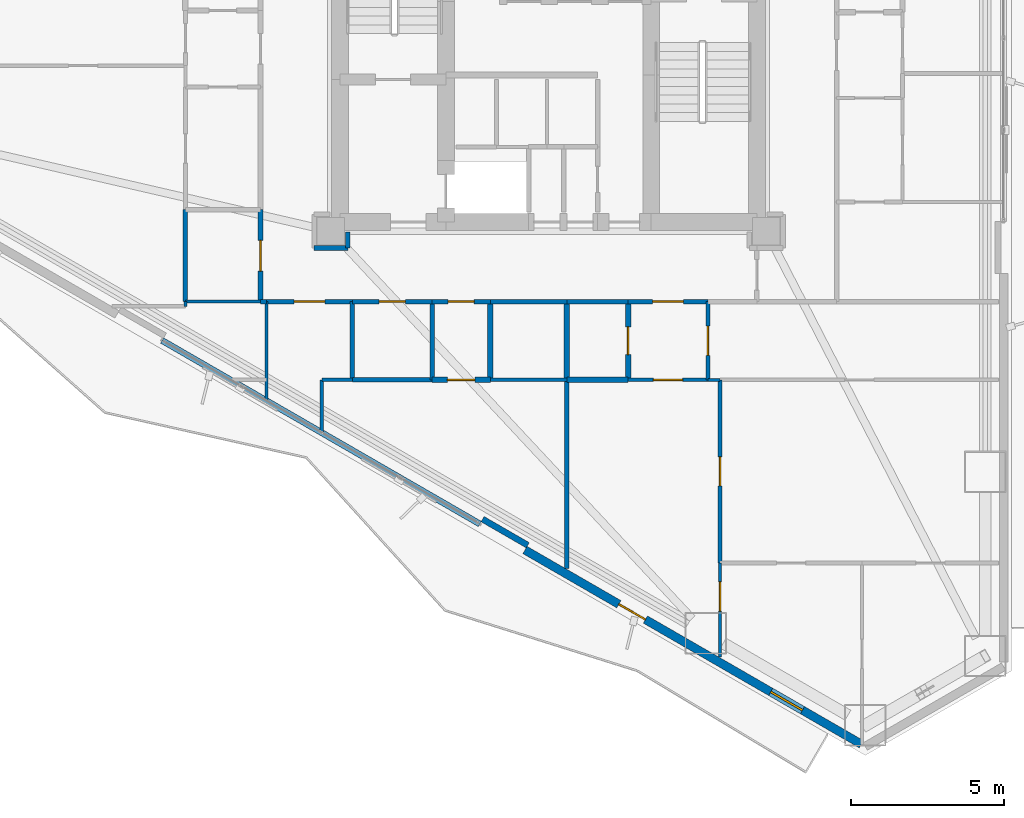
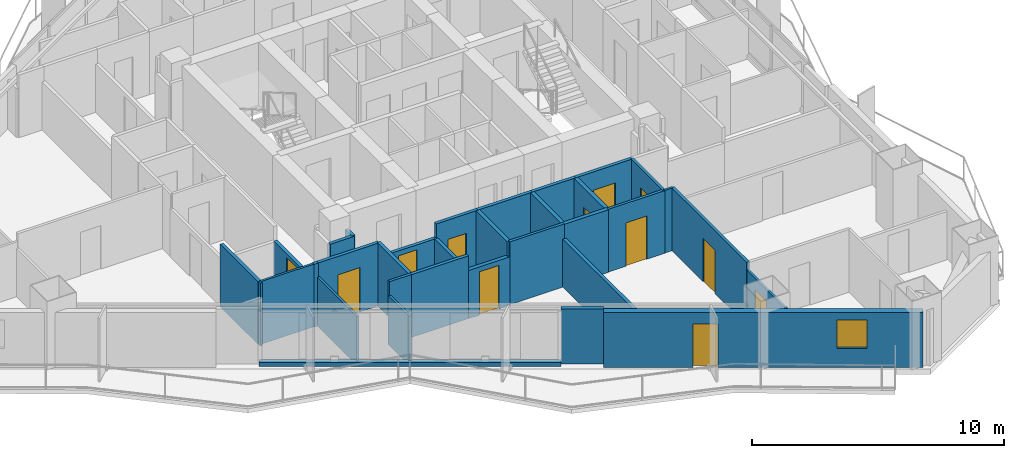
# One storey, part 12 of 19: 34 walls, 12 doors, 1 window, 13 openings.
"""IFC4 building model written with IfcOpenShell, lengths in metres."""

from ifc_helpers import new_model, si_unit, direction, frame, frame_2d, origin, place, context, subcontext, project, spatial, rectangle, extrude, material, layer, layer_set, type_object, element, fill, save


model = new_model("IFC4")

# Units and contexts
model_context = context("Model", 3, precision=1e-05, world=origin(), true_north=direction((0.0, 1.0)))
body_context = subcontext(model_context, "Body", "Model", "MODEL_VIEW")
ifc_project = project(units=[si_unit("LENGTHUNIT", "METRE"), si_unit("AREAUNIT", "SQUARE_METRE"), si_unit("VOLUMEUNIT", "CUBIC_METRE"), si_unit("PLANEANGLEUNIT", "RADIAN"), si_unit("MASSUNIT", "GRAM", prefix="KILO")], contexts=[model_context])

# Site, building, storey
site_placement = place(None, origin())
site = spatial("IfcSite", under=ifc_project, at=site_placement, CompositionType="ELEMENT")
building_placement = place(site_placement, origin())
building = spatial("IfcBuilding", under=site, at=building_placement, Name="Mersakhor Tower and Convention Hall", CompositionType="ELEMENT")
storey_placement = place(building_placement, frame((0.0, 0.0, 29.10009765625)))
storey = spatial("IfcBuildingStorey", under=building, at=storey_placement, Name="L07", CompositionType="ELEMENT", Elevation=29.10009765625)

# Wall, openings, door, window
ifc_material_1 = material(Name="Precast concrete C45/55", Category="concrete")
ifc_layer_1 = layer(ifc_material_1, 0.27490234375)
ifc_layer_set_1 = layer_set([ifc_layer_1], Name="Precast concrete C45/55")
wall_type_1 = type_object("IfcWallType", Name="WL-EXT-275", PredefinedType="SOLIDWALL", material=ifc_layer_set_1)
wall_1_placement = place(storey_placement, frame((39.20703125, 3.709716796875, 0.0), z_axis=(0.0, 0.0, 1.0), x_axis=(-0.86603192154, 0.499988710747, 0.0)))
wall_1 = element("IfcWall", 1, at=wall_1_placement, inside=storey, type_object=wall_type_1, Name="L07 Exterior Facade Wall F3-B1", PredefinedType="SOLIDWALL", context=body_context, shape_type="SweptSolid", body=[
    extrude(rectangle(XDim=12.673095703125, YDim=0.27490234375, at=frame_2d((6.33642578125, 0.0))), origin(), (0.0, 0.0, 1.0), 2.659912109375),
])
opening_1_placement = place(wall_1_placement, frame((8.135986328125, 0.0, 0.0)))
opening_1 = element("IfcOpeningElement", 2, at=opening_1_placement, cuts=wall_1, Name="Opening BD-01", PredefinedType="OPENING", context=body_context, shape_type="SweptSolid", body=[
    extrude(rectangle(XDim=1.0, YDim=2.10009765625, at=frame_2d((0.5, 1.050048828125))), frame((0.0, 0.1474609375, 0.0), z_axis=(0.0, -1.0, 0.0), x_axis=(1.0, 0.0, 0.0)), (0.0, 0.0, 1.0), 0.294921875),
])
opening_2_placement = place(wall_1_placement, frame((2.216064453125, 0.0, 0.89990234375)))
opening_2 = element("IfcOpeningElement", 3, at=opening_2_placement, cuts=wall_1, Name="Opening W-01", PredefinedType="OPENING", context=body_context, shape_type="SweptSolid", body=[
    extrude(rectangle(XDim=1.199951171875, YDim=1.39990234375, at=frame_2d((0.60009765625, 0.699951171875))), frame((0.0, 0.1474609375, 0.0), z_axis=(0.0, -1.0, 0.0), x_axis=(1.0, 0.0, 0.0)), (0.0, 0.0, 1.0), 0.294921875),
])
ifc_material_2 = material(Name="Thermally broken dark aluminium and safety glass", Category="aluminium")
door_type_1 = type_object("IfcDoorType", Name="DR-BAL-100x210", OperationType="NOTDEFINED", PredefinedType="DOOR", material=ifc_material_2)
door_1_placement = place(opening_1_placement, origin())
door_1 = element("IfcDoor", 4, at=door_1_placement, inside=storey, type_object=door_type_1, Name="L07 Balcony Terrace Door F3-B1", OperationType="SINGLE_SWING_LEFT", OverallHeight=2.10009765625, OverallWidth=1.0, PredefinedType="DOOR", context=body_context, shape_type="SweptSolid", body=[
    extrude(rectangle(XDim=1.0, YDim=2.10009765625, at=frame_2d((0.5, 1.050048828125))), frame((0.0, 0.02490234375, 0.0), z_axis=(0.0, -1.0, 0.0), x_axis=(1.0, 0.0, 0.0)), (0.0, 0.0, 1.0), 0.050048828125),
])
fill(opening_1, door_1)
ifc_material_3 = material(Name="Dark solar low-E glazed aluminium window", Category="aluminium")
window_type = type_object("IfcWindowType", Name="WN-RES-120x150", PartitioningType="SINGLE_PANEL", PredefinedType="WINDOW", material=ifc_material_3)
window_placement = place(opening_2_placement, origin())
window = element("IfcWindow", 5, at=window_placement, inside=storey, type_object=window_type, Name="L07 Bedroom Facade Window F3-B1-1", OverallHeight=1.39990234375, OverallWidth=1.199951171875, PartitioningType="SINGLE_PANEL", PredefinedType="WINDOW", context=body_context, shape_type="SweptSolid", body=[
    extrude(rectangle(XDim=1.199951171875, YDim=1.39990234375, at=frame_2d((0.60009765625, 0.699951171875))), frame((0.0, 0.030029296875, 0.0), z_axis=(0.0, -1.0, 0.0), x_axis=(1.0, 0.0, 0.0)), (0.0, 0.0, 1.0), 0.06005859375),
])
fill(opening_2, window)

# Walls
ifc_material_4 = material(Name="Precast concrete C40/50", Category="concrete")
ifc_layer_2 = layer(ifc_material_4, 0.199951171875)
ifc_layer_set_2 = layer_set([ifc_layer_2], Name="Precast concrete C40/50")
wall_type_2 = type_object("IfcWallType", Name="WL-PAR-200", PredefinedType="PARAPET", material=ifc_layer_set_2)
wall_2_placement = place(storey_placement, frame((26.759521484375, 10.896240234375, 0.0), z_axis=(0.0, 0.0, 1.0), x_axis=(-0.866027351828, 0.499996625875, 0.0)))
element("IfcWall", 6, at=wall_2_placement, inside=storey, type_object=wall_type_2, Name="L07 Curtain Wall Upstand Sill F3-B2", PredefinedType="PARAPET", context=body_context, shape_type="SweptSolid", body=[
    extrude(rectangle(XDim=11.97314453125, YDim=0.199951171875, at=frame_2d((5.986572265625, 0.0))), origin(), (0.0, 0.0, 1.0), 0.199951171875),
])
wall_3_placement = place(storey_placement, frame((28.32177734375, 10.2021484375, 0.0), z_axis=(0.0, 0.0, 1.0), x_axis=(-0.86605165483, 0.499954529098, 0.0)))
element("IfcWall", 7, at=wall_3_placement, inside=storey, type_object=wall_type_2, Name="L07 Column Pier Cladding Wall F3-C1", PredefinedType="PARAPET", context=body_context, shape_type="SweptSolid", body=[
    extrude(rectangle(XDim=1.699951171875, YDim=0.199951171875, at=frame_2d((0.85009765625, 0.0))), origin(), (0.0, 0.0, 1.0), 2.659912109375),
])

# Wall, opening, door
ifc_material_5 = material(Name="Moisture-resistant acoustic drywall studwork", Category="other")
ifc_layer_3 = layer(ifc_material_5, 0.175048828125)
ifc_layer_set_3 = layer_set([ifc_layer_3], Name="Moisture-resistant acoustic drywall studwork")
wall_type_3 = type_object("IfcWallType", Name="WL-PLM-175", PredefinedType="PLUMBINGWALL", material=ifc_layer_set_3)
wall_4_placement = place(storey_placement, frame((31.60009765625, 15.60009765625, 0.0), z_axis=(0.0, 0.0, 1.0), x_axis=(0.0, 1.0, 0.0)))
wall_4 = element("IfcWall", 8, at=wall_4_placement, inside=storey, type_object=wall_type_3, Name="L07 Interior Partition Wall P-072", PredefinedType="PLUMBINGWALL", context=body_context, shape_type="SweptSolid", body=[
    extrude(rectangle(XDim=2.5498046875, YDim=0.175048828125, at=frame_2d((1.27490234375, 0.0))), origin(), (0.0, 0.0, 1.0), 3.039794921875),
])
opening_3_placement = place(wall_4_placement, frame((0.824951171875, 0.0, 0.0)))
opening_3 = element("IfcOpeningElement", 9, at=opening_3_placement, cuts=wall_4, Name="Opening WD-01", PredefinedType="OPENING", context=body_context, shape_type="SweptSolid", body=[
    extrude(rectangle(XDim=0.89990234375, YDim=2.10009765625, at=frame_2d((0.449951171875, 1.050048828125))), frame((0.0, 0.097412109375, 0.0), z_axis=(0.0, -1.0, 0.0), x_axis=(1.0, 0.0, 0.0)), (0.0, 0.0, 1.0), 0.195068359375),
])
ifc_material_6 = material(Name="Solid-core hardwood leaf in painted steel frame", Category="steel")
door_type_2 = type_object("IfcDoorType", Name="DR-INT-WET-090x210", OperationType="NOTDEFINED", PredefinedType="DOOR", material=ifc_material_6)
door_2_placement = place(opening_3_placement, origin())
door_2 = element("IfcDoor", 10, at=door_2_placement, inside=storey, type_object=door_type_2, Name="L07 L07 Flat S3 Apartment Hall to L07 Flat S3 Bathroom Door", OperationType="SINGLE_SWING_LEFT", OverallHeight=2.10009765625, OverallWidth=0.89990234375, PredefinedType="DOOR", context=body_context, shape_type="SweptSolid", body=[
    extrude(rectangle(XDim=0.89990234375, YDim=2.10009765625, at=frame_2d((0.449951171875, 1.050048828125))), frame((0.0, 0.02490234375, 0.0), z_axis=(0.0, -1.0, 0.0), x_axis=(1.0, 0.0, 0.0)), (0.0, 0.0, 1.0), 0.050048828125),
])
fill(opening_3, door_2)

wall_5_placement = place(storey_placement, frame((27.10009765625, 15.60009765625, 0.0), z_axis=(0.0, 0.0, 1.0), x_axis=(-1.0, 0.0, 0.0)))
wall_5 = element("IfcWall", 11, at=wall_5_placement, inside=storey, type_object=wall_type_3, Name="L07 Interior Partition Wall P-089", PredefinedType="PLUMBINGWALL", context=body_context, shape_type="SweptSolid", body=[
    extrude(rectangle(XDim=1.900146484375, YDim=0.175048828125, at=frame_2d((0.9501953125, 0.0))), origin(), (0.0, 0.0, 1.0), 2.33740234375),
])
opening_4_placement = place(wall_5_placement, frame((0.5, 0.0, 0.0)))
opening_4 = element("IfcOpeningElement", 12, at=opening_4_placement, cuts=wall_5, Name="Opening WD-01", PredefinedType="OPENING", context=body_context, shape_type="SweptSolid", body=[
    extrude(rectangle(XDim=0.89990234375, YDim=2.10009765625, at=frame_2d((0.449951171875, 1.050048828125))), frame((0.0, 0.097412109375, 0.0), z_axis=(0.0, -1.0, 0.0), x_axis=(1.0, 0.0, 0.0)), (0.0, 0.0, 1.0), 0.195068359375),
])
door_3_placement = place(opening_4_placement, origin())
door_3 = element("IfcDoor", 13, at=door_3_placement, inside=storey, type_object=door_type_2, Name="L07 L07 Floor Shared Restroom WC 2-2 to L07 Floor Residents Study Room 2-4 Door", OperationType="SINGLE_SWING_RIGHT", OverallHeight=2.10009765625, OverallWidth=0.89990234375, PredefinedType="DOOR", context=body_context, shape_type="SweptSolid", body=[
    extrude(rectangle(XDim=0.89990234375, YDim=2.10009765625, at=frame_2d((0.449951171875, 1.050048828125))), frame((0.0, 0.02490234375, 0.0), z_axis=(0.0, -1.0, 0.0), x_axis=(1.0, 0.0, 0.0)), (0.0, 0.0, 1.0), 0.050048828125),
])
fill(opening_4, door_3)

# Walls
wall_6_placement = place(storey_placement, frame((27.10009765625, 18.14990234375, 0.0), z_axis=(0.0, 0.0, 1.0), x_axis=(0.0, -1.0, 0.0)))
element("IfcWall", 14, at=wall_6_placement, inside=storey, type_object=wall_type_3, Name="L07 Interior Partition Wall P-091", PredefinedType="PLUMBINGWALL", context=body_context, shape_type="SweptSolid", body=[
    extrude(rectangle(XDim=2.5498046875, YDim=0.175048828125, at=frame_2d((1.27490234375, 0.0))), origin(), (0.0, 0.0, 1.0), 3.039794921875),
])
wall_7_placement = place(storey_placement, frame((31.60009765625, 15.60009765625, 0.0), z_axis=(0.0, 0.0, 1.0), x_axis=(-1.0, 0.0, 0.0)))
element("IfcWall", 15, at=wall_7_placement, inside=storey, type_object=wall_type_3, Name="L07 Interior Partition Wall P-092", PredefinedType="PLUMBINGWALL", context=body_context, shape_type="SweptSolid", body=[
    extrude(rectangle(XDim=2.0, YDim=0.175048828125, at=frame_2d((1.0, 0.0))), origin(), (0.0, 0.0, 1.0), 3.039794921875),
])
wall_8_placement = place(storey_placement, frame((29.60009765625, 15.60009765625, 0.0), z_axis=(0.0, 0.0, 1.0), x_axis=(0.0, 1.0, 0.0)))
element("IfcWall", 16, at=wall_8_placement, inside=storey, type_object=wall_type_3, Name="L07 Interior Partition Wall P-093", PredefinedType="PLUMBINGWALL", context=body_context, shape_type="SweptSolid", body=[
    extrude(rectangle(XDim=2.5498046875, YDim=0.175048828125, at=frame_2d((1.27490234375, 0.0))), origin(), (0.0, 0.0, 1.0), 3.039794921875),
])
ifc_material_7 = material(Name="Lightweight gypsum partition", Category="other")
ifc_layer_4 = layer(ifc_material_7, 0.10009765625)
ifc_layer_set_4 = layer_set([ifc_layer_4], Name="Lightweight gypsum partition")
wall_type_4 = type_object("IfcWallType", Name="WL-PRT-100", PredefinedType="PARTITIONING", material=ifc_layer_set_4)
wall_9_placement = place(storey_placement, frame((34.60009765625, 15.60009765625, 0.0), z_axis=(0.0, 0.0, 1.0), x_axis=(-1.0, 0.0, 0.0)))
element("IfcWall", 17, at=wall_9_placement, inside=storey, type_object=wall_type_4, Name="L07 Interior Partition Wall P-096", PredefinedType="PARTITIONING", context=body_context, shape_type="SweptSolid", body=[
    extrude(rectangle(XDim=0.400146484375, YDim=0.10009765625, at=frame_2d((0.2001953125, 0.0))), origin(), (0.0, 0.0, 1.0), 3.039794921875),
])
wall_10_placement = place(storey_placement, frame((19.60009765625, 18.14990234375, 0.0), z_axis=(0.0, 0.0, 1.0), x_axis=(-1.0, 0.0, 0.0)))
element("IfcWall", 18, at=wall_10_placement, inside=storey, type_object=wall_type_4, Name="L07 Interior Partition Wall P-114", PredefinedType="PARTITIONING", context=body_context, shape_type="SweptSolid", body=[
    extrude(rectangle(XDim=2.4501953125, YDim=0.10009765625, at=frame_2d((1.22509765625, 0.0))), origin(), (0.0, 0.0, 1.0), 3.039794921875),
])
wall_11_placement = place(storey_placement, frame((21.60009765625, 15.60009765625, 0.0), z_axis=(0.0, 0.0, 1.0), x_axis=(0.0, -1.0, 0.0)))
element("IfcWall", 19, at=wall_11_placement, inside=storey, type_object=wall_type_4, Name="L07 Interior Partition Wall P-128", PredefinedType="PARTITIONING", context=body_context, shape_type="SweptSolid", body=[
    extrude(rectangle(XDim=1.68359375, YDim=0.10009765625, at=frame_2d((0.841796875, 0.0))), origin(), (0.0, 0.0, 1.0), 2.364990234375),
])
wall_12_placement = place(storey_placement, frame((19.800048828125, 14.955810546875, 0.0), z_axis=(0.0, 0.0, 1.0), x_axis=(0.0, 1.0, 0.0)))
element("IfcWall", 20, at=wall_12_placement, inside=storey, type_object=wall_type_4, Name="L07 Interior Partition Wall P-130", PredefinedType="PARTITIONING", context=body_context, shape_type="SweptSolid", body=[
    extrude(rectangle(XDim=3.194091796875, YDim=0.10009765625, at=frame_2d((1.59716796875, 0.0))), origin(), (0.0, 0.0, 1.0), 2.364990234375),
])

# Wall, opening, door
wall_13_placement = place(storey_placement, frame((34.60009765625, 9.6201171875, 0.0), z_axis=(0.0, 0.0, 1.0), x_axis=(0.0, -1.0, 0.0)))
wall_13 = element("IfcWall", 21, at=wall_13_placement, inside=storey, type_object=wall_type_4, Name="L07 Interior Partition Wall P-134", PredefinedType="PARTITIONING", context=body_context, shape_type="SweptSolid", body=[
    extrude(rectangle(XDim=3.064208984375, YDim=0.10009765625, at=frame_2d((1.5322265625, 0.0))), origin(), (0.0, 0.0, 1.0), 2.650390625),
])
opening_5_placement = place(wall_13_placement, frame((0.6171875, 0.0, 0.0)))
opening_5 = element("IfcOpeningElement", 22, at=opening_5_placement, cuts=wall_13, Name="Opening RD-01", PredefinedType="OPENING", context=body_context, shape_type="SweptSolid", body=[
    extrude(rectangle(XDim=0.949951171875, YDim=2.10009765625, at=frame_2d((0.47509765625, 1.050048828125))), frame((0.0, 0.06005859375, 0.0), z_axis=(0.0, -1.0, 0.0), x_axis=(1.0, 0.0, 0.0)), (0.0, 0.0, 1.0), 0.1201171875),
])
ifc_material_8 = material(Name="Solid-core hardwood leaf in painted steel frame", Category="steel")
door_type_3 = type_object("IfcDoorType", Name="DR-INT-RM-095x210", OperationType="NOTDEFINED", PredefinedType="DOOR", material=ifc_material_8)
door_4_placement = place(opening_5_placement, origin())
door_4 = element("IfcDoor", 23, at=door_4_placement, inside=storey, type_object=door_type_3, Name="L07 L07 Flat S3 Living and Dining Room to L07 Flat S3 Bedroom 1 Door", OperationType="SINGLE_SWING_LEFT", OverallHeight=2.10009765625, OverallWidth=0.949951171875, PredefinedType="DOOR", context=body_context, shape_type="SweptSolid", body=[
    extrude(rectangle(XDim=0.949951171875, YDim=2.10009765625, at=frame_2d((0.47509765625, 1.050048828125))), frame((0.0, 0.02490234375, 0.0), z_axis=(0.0, -1.0, 0.0), x_axis=(1.0, 0.0, 0.0)), (0.0, 0.0, 1.0), 0.050048828125),
])
fill(opening_5, door_4)

# Wall
wall_14_placement = place(storey_placement, frame((17.14990234375, 18.14990234375, 0.0), z_axis=(0.0, 0.0, 1.0), x_axis=(0.0, -1.0, 0.0)))
element("IfcWall", 24, at=wall_14_placement, inside=storey, type_object=wall_type_4, Name="L07 Interior Partition Wall P-144", PredefinedType="PARTITIONING", context=body_context, shape_type="SweptSolid", body=[
    extrude(rectangle(XDim=0.14990234375, YDim=0.10009765625, at=frame_2d((0.074951171875, 0.0))), origin(), (0.0, 0.0, 1.0), 3.039794921875),
])

# Wall, opening, door
ifc_material_9 = material(Name="Gypsum board acoustic partition", Category="other")
ifc_layer_5 = layer(ifc_material_9, 0.125)
ifc_layer_set_5 = layer_set([ifc_layer_5], Name="Gypsum board acoustic partition")
wall_type_5 = type_object("IfcWallType", Name="WL-PRT-125", PredefinedType="PARTITIONING", material=ifc_layer_set_5)
wall_15_placement = place(storey_placement, frame((34.199951171875, 15.60009765625, 0.0), z_axis=(0.0, 0.0, 1.0), x_axis=(-1.0, 0.0, 0.0)))
wall_15 = element("IfcWall", 25, at=wall_15_placement, inside=storey, type_object=wall_type_5, Name="L07 Interior Partition Wall P-071", PredefinedType="PARTITIONING", context=body_context, shape_type="SweptSolid", body=[
    extrude(rectangle(XDim=2.599853515625, YDim=0.125, at=frame_2d((1.2998046875, 0.0))), origin(), (0.0, 0.0, 1.0), 3.039794921875),
])
opening_6_placement = place(wall_15_placement, frame((0.824951171875, 0.0, 0.0)))
opening_6 = element("IfcOpeningElement", 26, at=opening_6_placement, cuts=wall_15, Name="Opening RD-01", PredefinedType="OPENING", context=body_context, shape_type="SweptSolid", body=[
    extrude(rectangle(XDim=0.949951171875, YDim=2.10009765625, at=frame_2d((0.47509765625, 1.050048828125))), frame((0.0, 0.072509765625, 0.0), z_axis=(0.0, -1.0, 0.0), x_axis=(1.0, 0.0, 0.0)), (0.0, 0.0, 1.0), 0.14501953125),
])
door_5_placement = place(opening_6_placement, origin())
door_5 = element("IfcDoor", 27, at=door_5_placement, inside=storey, type_object=door_type_3, Name="L07 L07 Flat S3 Apartment Hall to L07 Flat S3 Living and Dining Room Door", OperationType="SINGLE_SWING_LEFT", OverallHeight=2.10009765625, OverallWidth=0.949951171875, PredefinedType="DOOR", context=body_context, shape_type="SweptSolid", body=[
    extrude(rectangle(XDim=0.949951171875, YDim=2.10009765625, at=frame_2d((0.47509765625, 1.050048828125))), frame((0.0, 0.02490234375, 0.0), z_axis=(0.0, -1.0, 0.0), x_axis=(1.0, 0.0, 0.0)), (0.0, 0.0, 1.0), 0.050048828125),
])
fill(opening_6, door_5)

wall_16_placement = place(storey_placement, frame((34.199951171875, 18.14990234375, 0.0), z_axis=(0.0, 0.0, 1.0), x_axis=(0.0, -1.0, 0.0)))
wall_16 = element("IfcWall", 28, at=wall_16_placement, inside=storey, type_object=wall_type_5, Name="L07 Interior Partition Wall P-073", PredefinedType="PARTITIONING", context=body_context, shape_type="SweptSolid", body=[
    extrude(rectangle(XDim=2.5498046875, YDim=0.125, at=frame_2d((1.27490234375, 0.0))), origin(), (0.0, 0.0, 1.0), 3.039794921875),
])
opening_7_placement = place(wall_16_placement, frame((0.800048828125, 0.0, 0.0)))
opening_7 = element("IfcOpeningElement", 29, at=opening_7_placement, cuts=wall_16, Name="Opening RD-01", PredefinedType="OPENING", context=body_context, shape_type="SweptSolid", body=[
    extrude(rectangle(XDim=0.949951171875, YDim=2.10009765625, at=frame_2d((0.47509765625, 1.050048828125))), frame((0.0, 0.072509765625, 0.0), z_axis=(0.0, -1.0, 0.0), x_axis=(1.0, 0.0, 0.0)), (0.0, 0.0, 1.0), 0.14501953125),
])
door_6_placement = place(opening_7_placement, origin())
door_6 = element("IfcDoor", 30, at=door_6_placement, inside=storey, type_object=door_type_3, Name="L07 L07 Flat S3 Apartment Hall to L07 Flat S3 Kitchen Door", OperationType="SINGLE_SWING_RIGHT", OverallHeight=2.10009765625, OverallWidth=0.949951171875, PredefinedType="DOOR", context=body_context, shape_type="SweptSolid", body=[
    extrude(rectangle(XDim=0.949951171875, YDim=2.10009765625, at=frame_2d((0.47509765625, 1.050048828125))), frame((0.0, 0.02490234375, 0.0), z_axis=(0.0, -1.0, 0.0), x_axis=(1.0, 0.0, 0.0)), (0.0, 0.0, 1.0), 0.050048828125),
])
fill(opening_7, door_6)

# Walls
wall_17_placement = place(storey_placement, frame((22.60009765625, 15.60009765625, 0.0), z_axis=(0.0, 0.0, 1.0), x_axis=(-1.0, 0.0, 0.0)))
element("IfcWall", 31, at=wall_17_placement, inside=storey, type_object=wall_type_5, Name="L07 Interior Partition Wall P-127", PredefinedType="PARTITIONING", context=body_context, shape_type="SweptSolid", body=[
    extrude(rectangle(XDim=1.0, YDim=0.125, at=frame_2d((0.5, 0.0))), origin(), (0.0, 0.0, 1.0), 3.039794921875),
])
wall_18_placement = place(storey_placement, frame((27.10009765625, 15.60009765625, 0.0), z_axis=(0.0, 0.0, 1.0), x_axis=(1.0, 0.0, 0.0)))
element("IfcWall", 32, at=wall_18_placement, inside=storey, type_object=wall_type_5, Name="L07 Interior Partition Wall P-131", PredefinedType="PARTITIONING", context=body_context, shape_type="SweptSolid", body=[
    extrude(rectangle(XDim=2.5, YDim=0.125, at=frame_2d((1.25, 0.0))), origin(), (0.0, 0.0, 1.0), 3.039794921875),
])

# Wall, opening, door
wall_19_placement = place(storey_placement, frame((34.60009765625, 15.60009765625, 0.0), z_axis=(0.0, 0.0, 1.0), x_axis=(0.0, -1.0, 0.0)))
wall_19 = element("IfcWall", 33, at=wall_19_placement, inside=storey, type_object=wall_type_5, Name="L07 Interior Partition Wall P-133", PredefinedType="PARTITIONING", context=body_context, shape_type="SweptSolid", body=[
    extrude(rectangle(XDim=5.97998046875, YDim=0.125, at=frame_2d((2.989990234375, 0.0))), origin(), (0.0, 0.0, 1.0), 3.039794921875),
])
opening_8_placement = place(wall_19_placement, frame((2.514892578125, 0.0, 0.0)))
opening_8 = element("IfcOpeningElement", 34, at=opening_8_placement, cuts=wall_19, Name="Opening RD-01", PredefinedType="OPENING", context=body_context, shape_type="SweptSolid", body=[
    extrude(rectangle(XDim=0.949951171875, YDim=2.10009765625, at=frame_2d((0.47509765625, 1.050048828125))), frame((0.0, 0.072509765625, 0.0), z_axis=(0.0, -1.0, 0.0), x_axis=(1.0, 0.0, 0.0)), (0.0, 0.0, 1.0), 0.14501953125),
])
door_7_placement = place(opening_8_placement, origin())
door_7 = element("IfcDoor", 35, at=door_7_placement, inside=storey, type_object=door_type_3, Name="L07 L07 Flat S3 Living and Dining Room to L07 Flat S3 Dining Room Door", OperationType="SINGLE_SWING_RIGHT", OverallHeight=2.10009765625, OverallWidth=0.949951171875, PredefinedType="DOOR", context=body_context, shape_type="SweptSolid", body=[
    extrude(rectangle(XDim=0.949951171875, YDim=2.10009765625, at=frame_2d((0.47509765625, 1.050048828125))), frame((0.0, 0.02490234375, 0.0), z_axis=(0.0, -1.0, 0.0), x_axis=(1.0, 0.0, 0.0)), (0.0, 0.0, 1.0), 0.050048828125),
])
fill(opening_8, door_7)

# Walls
ifc_material_10 = material(Name="Fire-rated gypsum board stud partition", Category="other")
ifc_layer_6 = layer(ifc_material_10, 0.14990234375)
ifc_layer_set_6 = layer_set([ifc_layer_6], Name="Fire-rated gypsum board stud partition")
wall_type_6 = type_object("IfcWallType", Name="WL-PRT-150", PredefinedType="PARTITIONING", material=ifc_layer_set_6)
wall_20_placement = place(storey_placement, frame((21.35009765625, 19.89990234375, 0.0), z_axis=(0.0, 0.0, 1.0), x_axis=(1.0, 0.0, 0.0)))
element("IfcWall", 36, at=wall_20_placement, inside=storey, type_object=wall_type_6, Name="L07 Interior Partition Wall P-021", PredefinedType="PARTITIONING", context=body_context, shape_type="SweptSolid", body=[
    extrude(rectangle(XDim=1.099853515625, YDim=0.14990234375, at=frame_2d((0.5498046875, 0.0))), origin(), (0.0, 0.0, 1.0), 2.33740234375),
])
wall_21_placement = place(storey_placement, frame((22.449951171875, 19.89990234375, 0.0), z_axis=(0.0, 0.0, 1.0), x_axis=(0.0, 1.0, 0.0)))
element("IfcWall", 37, at=wall_21_placement, inside=storey, type_object=wall_type_6, Name="L07 Interior Partition Wall P-022", PredefinedType="PARTITIONING", context=body_context, shape_type="SweptSolid", body=[
    extrude(rectangle(XDim=0.525146484375, YDim=0.14990234375, at=frame_2d((0.2626953125, 0.0))), origin(), (0.0, 0.0, 1.0), 2.33740234375),
])

# Wall, opening, door
wall_22_placement = place(storey_placement, frame((34.199951171875, 18.14990234375, 0.0), z_axis=(0.0, 0.0, 1.0), x_axis=(-1.0, 0.0, 0.0)))
wall_22 = element("IfcWall", 38, at=wall_22_placement, inside=storey, type_object=wall_type_6, Name="L07 Interior Partition Wall P-027", PredefinedType="PARTITIONING", context=body_context, shape_type="SweptSolid", body=[
    extrude(rectangle(XDim=2.599853515625, YDim=0.14990234375, at=frame_2d((1.2998046875, 0.0))), origin(), (0.0, 0.0, 1.0), 3.039794921875),
])
opening_9_placement = place(wall_22_placement, frame((0.800048828125, 0.0, 0.0)))
opening_9 = element("IfcOpeningElement", 39, at=opening_9_placement, cuts=wall_22, Name="Opening FD-01", PredefinedType="OPENING", context=body_context, shape_type="SweptSolid", body=[
    extrude(rectangle(XDim=1.0, YDim=2.14990234375, at=frame_2d((0.5, 1.074951171875))), frame((0.0, 0.0849609375, 0.0), z_axis=(0.0, -1.0, 0.0), x_axis=(1.0, 0.0, 0.0)), (0.0, 0.0, 1.0), 0.169921875),
])
ifc_material_11 = material(Name="Fire-rated hardwood leaf and painted steel frame", Category="steel")
door_type_4 = type_object("IfcDoorType", Name="DR-INT-FLT-100x215", OperationType="NOTDEFINED", PredefinedType="DOOR", material=ifc_material_11)
door_8_placement = place(opening_9_placement, origin())
door_8 = element("IfcDoor", 40, at=door_8_placement, inside=storey, type_object=door_type_4, Name="L07 Apartment Entrance Door (Residential Ring Corridor to L07 Flat S3 Apartment Hall)", OperationType="SINGLE_SWING_LEFT", OverallHeight=2.14990234375, OverallWidth=1.0, PredefinedType="DOOR", context=body_context, shape_type="SweptSolid", body=[
    extrude(rectangle(XDim=1.0, YDim=2.14990234375, at=frame_2d((0.5, 1.074951171875))), frame((0.0, 0.02490234375, 0.0), z_axis=(0.0, -1.0, 0.0), x_axis=(1.0, 0.0, 0.0)), (0.0, 0.0, 1.0), 0.050048828125),
])
fill(opening_9, door_8)

# Walls
wall_23_placement = place(storey_placement, frame((31.60009765625, 18.14990234375, 0.0), z_axis=(0.0, 0.0, 1.0), x_axis=(-1.0, 0.0, 0.0)))
element("IfcWall", 41, at=wall_23_placement, inside=storey, type_object=wall_type_6, Name="L07 Interior Partition Wall P-028", PredefinedType="PARTITIONING", context=body_context, shape_type="SweptSolid", body=[
    extrude(rectangle(XDim=2.0, YDim=0.14990234375, at=frame_2d((1.0, 0.0))), origin(), (0.0, 0.0, 1.0), 3.039794921875),
])
wall_24_placement = place(storey_placement, frame((29.60009765625, 18.14990234375, 0.0), z_axis=(0.0, 0.0, 1.0), x_axis=(-1.0, 0.0, 0.0)))
element("IfcWall", 42, at=wall_24_placement, inside=storey, type_object=wall_type_6, Name="L07 Interior Partition Wall P-029", PredefinedType="PARTITIONING", context=body_context, shape_type="SweptSolid", body=[
    extrude(rectangle(XDim=2.5, YDim=0.14990234375, at=frame_2d((1.25, 0.0))), origin(), (0.0, 0.0, 1.0), 3.039794921875),
])

# Wall, opening, door
wall_25_placement = place(storey_placement, frame((27.10009765625, 18.14990234375, 0.0), z_axis=(0.0, 0.0, 1.0), x_axis=(-1.0, 0.0, 0.0)))
wall_25 = element("IfcWall", 43, at=wall_25_placement, inside=storey, type_object=wall_type_6, Name="L07 Interior Partition Wall P-030", PredefinedType="PARTITIONING", context=body_context, shape_type="SweptSolid", body=[
    extrude(rectangle(XDim=1.900146484375, YDim=0.14990234375, at=frame_2d((0.9501953125, 0.0))), origin(), (0.0, 0.0, 1.0), 3.039794921875),
])
opening_10_placement = place(wall_25_placement, frame((0.52490234375, 0.0, 0.0)))
opening_10 = element("IfcOpeningElement", 44, at=opening_10_placement, cuts=wall_25, Name="Opening SVD-01", PredefinedType="OPENING", context=body_context, shape_type="SweptSolid", body=[
    extrude(rectangle(XDim=0.85009765625, YDim=2.10009765625, at=frame_2d((0.425048828125, 1.050048828125))), frame((0.0, 0.0849609375, 0.0), z_axis=(0.0, -1.0, 0.0), x_axis=(1.0, 0.0, 0.0)), (0.0, 0.0, 1.0), 0.169921875),
])
ifc_material_12 = material(Name="Fire-rated hardwood leaf and painted steel frame", Category="steel")
door_type_5 = type_object("IfcDoorType", Name="DR-INT-SVC-085x210", OperationType="NOTDEFINED", PredefinedType="DOOR", material=ifc_material_12)
door_9_placement = place(opening_10_placement, origin())
door_9 = element("IfcDoor", 45, at=door_9_placement, inside=storey, type_object=door_type_5, Name="L07 Residential Ring Corridor to L07 Floor Shared Restroom WC 2-2 Door", OperationType="SINGLE_SWING_LEFT", OverallHeight=2.10009765625, OverallWidth=0.85009765625, PredefinedType="DOOR", context=body_context, shape_type="SweptSolid", body=[
    extrude(rectangle(XDim=0.85009765625, YDim=2.10009765625, at=frame_2d((0.425048828125, 1.050048828125))), frame((0.0, 0.02490234375, 0.0), z_axis=(0.0, -1.0, 0.0), x_axis=(1.0, 0.0, 0.0)), (0.0, 0.0, 1.0), 0.050048828125),
])
fill(opening_10, door_9)

wall_26_placement = place(storey_placement, frame((25.199951171875, 18.14990234375, 0.0), z_axis=(0.0, 0.0, 1.0), x_axis=(-1.0, 0.0, 0.0)))
wall_26 = element("IfcWall", 46, at=wall_26_placement, inside=storey, type_object=wall_type_6, Name="L07 Interior Partition Wall P-031", PredefinedType="PARTITIONING", context=body_context, shape_type="SweptSolid", body=[
    extrude(rectangle(XDim=2.599853515625, YDim=0.14990234375, at=frame_2d((1.2998046875, 0.0))), origin(), (0.0, 0.0, 1.0), 2.33740234375),
])
opening_11_placement = place(wall_26_placement, frame((0.875, 0.0, 0.0)))
opening_11 = element("IfcOpeningElement", 47, at=opening_11_placement, cuts=wall_26, Name="Opening SVD-01", PredefinedType="OPENING", context=body_context, shape_type="SweptSolid", body=[
    extrude(rectangle(XDim=0.85009765625, YDim=2.10009765625, at=frame_2d((0.425048828125, 1.050048828125))), frame((0.0, 0.0849609375, 0.0), z_axis=(0.0, -1.0, 0.0), x_axis=(1.0, 0.0, 0.0)), (0.0, 0.0, 1.0), 0.169921875),
])
door_10_placement = place(opening_11_placement, origin())
door_10 = element("IfcDoor", 48, at=door_10_placement, inside=storey, type_object=door_type_5, Name="L07 Residential Ring Corridor to L07 Floor Household Store Room 2-1 Door", OperationType="SINGLE_SWING_LEFT", OverallHeight=2.10009765625, OverallWidth=0.85009765625, PredefinedType="DOOR", context=body_context, shape_type="SweptSolid", body=[
    extrude(rectangle(XDim=0.85009765625, YDim=2.10009765625, at=frame_2d((0.425048828125, 1.050048828125))), frame((0.0, 0.02490234375, 0.0), z_axis=(0.0, -1.0, 0.0), x_axis=(1.0, 0.0, 0.0)), (0.0, 0.0, 1.0), 0.050048828125),
])
fill(opening_11, door_10)

wall_27_placement = place(storey_placement, frame((22.60009765625, 18.14990234375, 0.0), z_axis=(0.0, 0.0, 1.0), x_axis=(-1.0, 0.0, 0.0)))
wall_27 = element("IfcWall", 49, at=wall_27_placement, inside=storey, type_object=wall_type_6, Name="L07 Interior Partition Wall P-032", PredefinedType="PARTITIONING", context=body_context, shape_type="SweptSolid", body=[
    extrude(rectangle(XDim=2.800048828125, YDim=0.14990234375, at=frame_2d((1.39990234375, 0.0))), origin(), (0.0, 0.0, 1.0), 3.039794921875),
])
opening_12_placement = place(wall_27_placement, frame((0.89990234375, 0.0, 0.0)))
opening_12 = element("IfcOpeningElement", 50, at=opening_12_placement, cuts=wall_27, Name="Opening FD-01", PredefinedType="OPENING", context=body_context, shape_type="SweptSolid", body=[
    extrude(rectangle(XDim=1.0, YDim=2.14990234375, at=frame_2d((0.5, 1.074951171875))), frame((0.0, 0.0849609375, 0.0), z_axis=(0.0, -1.0, 0.0), x_axis=(1.0, 0.0, 0.0)), (0.0, 0.0, 1.0), 0.169921875),
])
door_11_placement = place(opening_12_placement, origin())
door_11 = element("IfcDoor", 51, at=door_11_placement, inside=storey, type_object=door_type_4, Name="L07 Residential Ring Corridor to L07 Floor Shared Tea Pantry 2-3 Door", OperationType="SINGLE_SWING_RIGHT", OverallHeight=2.14990234375, OverallWidth=1.0, PredefinedType="DOOR", context=body_context, shape_type="SweptSolid", body=[
    extrude(rectangle(XDim=1.0, YDim=2.14990234375, at=frame_2d((0.5, 1.074951171875))), frame((0.0, 0.02490234375, 0.0), z_axis=(0.0, -1.0, 0.0), x_axis=(1.0, 0.0, 0.0)), (0.0, 0.0, 1.0), 0.050048828125),
])
fill(opening_12, door_11)

# Wall
wall_28_placement = place(storey_placement, frame((19.800048828125, 18.14990234375, 0.0), z_axis=(0.0, 0.0, 1.0), x_axis=(-1.0, 0.0, 0.0)))
element("IfcWall", 52, at=wall_28_placement, inside=storey, type_object=wall_type_6, Name="L07 Interior Partition Wall P-033", PredefinedType="PARTITIONING", context=body_context, shape_type="SweptSolid", body=[
    extrude(rectangle(XDim=0.199951171875, YDim=0.14990234375, at=frame_2d((0.10009765625, 0.0))), origin(), (0.0, 0.0, 1.0), 3.039794921875),
])

# Wall, opening, door
wall_29_placement = place(storey_placement, frame((19.60009765625, 18.14990234375, 0.0), z_axis=(0.0, 0.0, 1.0), x_axis=(0.0, 1.0, 0.0)))
wall_29 = element("IfcWall", 53, at=wall_29_placement, inside=storey, type_object=wall_type_6, Name="L07 Interior Partition Wall P-034", PredefinedType="PARTITIONING", context=body_context, shape_type="SweptSolid", body=[
    extrude(rectangle(XDim=3.0, YDim=0.14990234375, at=frame_2d((1.5, 0.0))), origin(), (0.0, 0.0, 1.0), 2.33740234375),
])
opening_13_placement = place(wall_29_placement, frame((1.0, 0.0, 0.0)))
opening_13 = element("IfcOpeningElement", 54, at=opening_13_placement, cuts=wall_29, Name="Opening FD-01", PredefinedType="OPENING", context=body_context, shape_type="SweptSolid", body=[
    extrude(rectangle(XDim=1.0, YDim=2.14990234375, at=frame_2d((0.5, 1.074951171875))), frame((0.0, 0.0849609375, 0.0), z_axis=(0.0, -1.0, 0.0), x_axis=(1.0, 0.0, 0.0)), (0.0, 0.0, 1.0), 0.169921875),
])
door_12_placement = place(opening_13_placement, origin())
door_12 = element("IfcDoor", 55, at=door_12_placement, inside=storey, type_object=door_type_4, Name="L07 Residential Ring Corridor to L07 West Wing Shared Laundry Room Door", OperationType="SINGLE_SWING_RIGHT", OverallHeight=2.14990234375, OverallWidth=1.0, PredefinedType="DOOR", context=body_context, shape_type="SweptSolid", body=[
    extrude(rectangle(XDim=1.0, YDim=2.14990234375, at=frame_2d((0.5, 1.074951171875))), frame((0.0, 0.02490234375, 0.0), z_axis=(0.0, -1.0, 0.0), x_axis=(1.0, 0.0, 0.0)), (0.0, 0.0, 1.0), 0.050048828125),
])
fill(opening_13, door_12)

# Walls
wall_30_placement = place(storey_placement, frame((25.199951171875, 15.60009765625, 0.0), z_axis=(0.0, 0.0, 1.0), x_axis=(0.0, 1.0, 0.0)))
element("IfcWall", 56, at=wall_30_placement, inside=storey, type_object=wall_type_6, Name="L07 Interior Partition Wall P-090", PredefinedType="PARTITIONING", context=body_context, shape_type="SweptSolid", body=[
    extrude(rectangle(XDim=2.5498046875, YDim=0.14990234375, at=frame_2d((1.27490234375, 0.0))), origin(), (0.0, 0.0, 1.0), 2.33740234375),
])
wall_31_placement = place(storey_placement, frame((17.14990234375, 18.14990234375, 0.0), z_axis=(0.0, 0.0, 1.0), x_axis=(0.0, 1.0, 0.0)))
element("IfcWall", 57, at=wall_31_placement, inside=storey, type_object=wall_type_6, Name="L07 Interior Partition Wall P-113", PredefinedType="PARTITIONING", context=body_context, shape_type="SweptSolid", body=[
    extrude(rectangle(XDim=3.0, YDim=0.14990234375, at=frame_2d((1.5, 0.0))), origin(), (0.0, 0.0, 1.0), 3.039794921875),
])
wall_32_placement = place(storey_placement, frame((25.199951171875, 15.60009765625, 0.0), z_axis=(0.0, 0.0, 1.0), x_axis=(-1.0, 0.0, 0.0)))
element("IfcWall", 58, at=wall_32_placement, inside=storey, type_object=wall_type_6, Name="L07 Interior Partition Wall P-125", PredefinedType="PARTITIONING", context=body_context, shape_type="SweptSolid", body=[
    extrude(rectangle(XDim=2.599853515625, YDim=0.14990234375, at=frame_2d((1.2998046875, 0.0))), origin(), (0.0, 0.0, 1.0), 3.039794921875),
])
wall_33_placement = place(storey_placement, frame((22.60009765625, 15.60009765625, 0.0), z_axis=(0.0, 0.0, 1.0), x_axis=(0.0, 1.0, 0.0)))
element("IfcWall", 59, at=wall_33_placement, inside=storey, type_object=wall_type_6, Name="L07 Interior Partition Wall P-126", PredefinedType="PARTITIONING", context=body_context, shape_type="SweptSolid", body=[
    extrude(rectangle(XDim=2.5498046875, YDim=0.14990234375, at=frame_2d((1.27490234375, 0.0))), origin(), (0.0, 0.0, 1.0), 3.039794921875),
])
wall_34_placement = place(storey_placement, frame((29.60009765625, 15.60009765625, 0.0), z_axis=(0.0, 0.0, 1.0), x_axis=(0.0, -1.0, 0.0)))
element("IfcWall", 60, at=wall_34_placement, inside=storey, type_object=wall_type_6, Name="L07 Interior Partition Wall P-132", PredefinedType="PARTITIONING", context=body_context, shape_type="SweptSolid", body=[
    extrude(rectangle(XDim=6.1572265625, YDim=0.14990234375, at=frame_2d((3.07861328125, 0.0))), origin(), (0.0, 0.0, 1.0), 2.33740234375),
])

save(model, "model.ifc")
